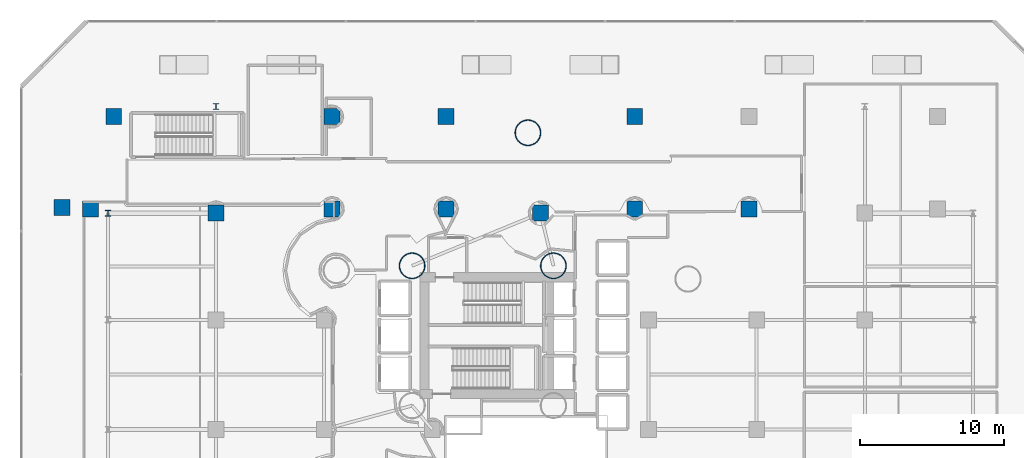
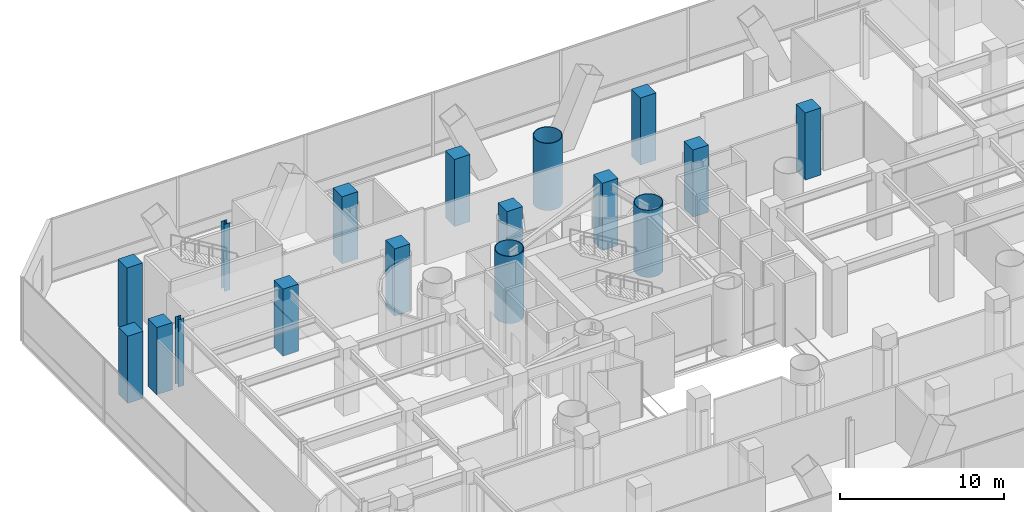
# One storey, part 3 of 42: 17 columns.
"""IFC4 building model written with IfcOpenShell, lengths in metres."""

from ifc_helpers import new_model, si_unit, direction, frame, origin, origin_2d, place, context, subcontext, project, spatial, rectangle, hollow_circle, i_section, extrude, material, material_profile, profile_set, type_object, element, save


model = new_model("IFC4")

# Units and contexts
model_context = context("Model", 3, precision=1e-05, world=origin(), true_north=direction((0.0, 1.0)))
body_context = subcontext(model_context, "Body", "Model", "MODEL_VIEW")
ifc_project = project(units=[si_unit("LENGTHUNIT", "METRE"), si_unit("AREAUNIT", "SQUARE_METRE"), si_unit("VOLUMEUNIT", "CUBIC_METRE"), si_unit("PLANEANGLEUNIT", "RADIAN"), si_unit("MASSUNIT", "GRAM", prefix="KILO")], contexts=[model_context])

# Site, building, storey
site_placement = place(None, origin())
site = spatial("IfcSite", under=ifc_project, at=site_placement, CompositionType="ELEMENT")
building_placement = place(site_placement, origin())
building = spatial("IfcBuilding", under=site, at=building_placement, Name="Qianvela Tower", CompositionType="ELEMENT")
storey_placement = place(building_placement, frame((0.0, 0.0, 6.0)))
storey = spatial("IfcBuildingStorey", under=building, at=storey_placement, Name="L01", CompositionType="ELEMENT", Elevation=6.0)

# Columns
ifc_material_1 = material(Name="Steel Q420GJC", Category="steel")
ifc_material_profile_1 = material_profile(ifc_material_1, hollow_circle(Radius=0.89990234375, WallThickness=0.044921875, at=origin_2d()), Name="CFT-1800x45")
ifc_profile_set_1 = profile_set([ifc_material_profile_1], Name="Steel Q420GJC")
column_type_1 = type_object("IfcColumnType", Name="COL-CFT-1800x45", PredefinedType="COLUMN", material=ifc_profile_set_1)
for number, where, z_axis, x_axis, name in (
    (1, (28.60009765625, 33.550048828125, 0.0), (0.0, 0.0, 1.0), (1.0, 0.0, 0.0), "L01 Core Corner Mega-Column CC-NW"),
    (2, (38.39990234375, 33.550048828125, 0.0), (0.0, 0.0, 1.0), (1.0, 0.0, 0.0), "L01 Core Corner Mega-Column CC-NE"),
    (3, (36.632080078125, 42.778076171875, 0.0), (0.0, 0.0, 1.0), (1.0, 0.0, 0.0), "L01 Tower Base CFT Mega-Column C3"),
):
    element("IfcColumn", number, at=place(storey_placement, frame(where, z_axis=z_axis, x_axis=x_axis)), inside=storey, type_object=column_type_1, Name=name, PredefinedType="COLUMN", context=body_context, shape_type="SweptSolid", body=[
        extrude(hollow_circle(Radius=0.89990234375, WallThickness=0.044921875, at=origin_2d()), origin(), (0.0, 0.0, 1.0), 5.0),
    ])
ifc_material_2 = material(Name="Steel Q355B", Category="steel")
ifc_material_profile_2 = material_profile(ifc_material_2, i_section(OverallWidth=0.39990234375, OverallDepth=0.39990234375, WebThickness=0.012939453125, FlangeThickness=0.02099609375, at=origin_2d()), Name="HW400x400x13x21")
ifc_profile_set_2 = profile_set([ifc_material_profile_2], Name="Steel Q355B")
column_type_2 = type_object("IfcColumnType", Name="COL-HW-400", PredefinedType="COLUMN", material=ifc_profile_set_2)
for number, where, z_axis, x_axis, name in (
    (4, (7.5, 37.199951171875, 0.0), (0.0, 0.0, 1.0), (1.0, 0.0, 0.0), "L01 Podium Grid Column P04"),
    (5, (15.0, 44.60009765625, 0.0), (0.0, 0.0, 1.0), (1.0, 0.0, 0.0), "L01 Podium Grid Column P10"),
):
    element("IfcColumn", number, at=place(storey_placement, frame(where, z_axis=z_axis, x_axis=x_axis)), inside=storey, type_object=column_type_2, Name=name, PredefinedType="COLUMN", context=body_context, shape_type="SweptSolid", body=[
        extrude(i_section(OverallWidth=0.39990234375, OverallDepth=0.39990234375, WebThickness=0.012939453125, FlangeThickness=0.02099609375, at=origin_2d()), origin(), (0.0, 0.0, 1.0), 5.0),
    ])
ifc_material_3 = material(Name="Concrete C60", Category="concrete")
ifc_material_profile_3 = material_profile(ifc_material_3, rectangle(XDim=1.10009765625, YDim=1.10009765625, at=origin_2d()), Name="RC-COL-1100x1100")
ifc_profile_set_3 = profile_set([ifc_material_profile_3], Name="Concrete C60")
column_type_3 = type_object("IfcColumnType", Name="COL-RC-1100", PredefinedType="COLUMN", material=ifc_profile_set_3)
for number, where, z_axis, x_axis, name in (
    (6, (7.89990234375, 43.89990234375, 0.0), (0.0, 0.0, 1.0), (1.0, 0.0, 0.0), "L01 Concourse Colonnade Column VC-N1-L-B1"),
    (7, (6.300048828125, 37.5, 0.0), (0.0, 0.0, 1.0), (1.0, 0.0, 0.0), "L01 Concourse Colonnade Column VC-N1-L-B2"),
    (8, (23.044677734375, 43.89990234375, 0.0), (0.0, 0.0, 1.0), (1.0, 0.0, 0.0), "L01 Concourse Colonnade Column VC-N1-R-B1"),
    (9, (23.044677734375, 37.5, 0.0), (0.0, 0.0, 1.0), (1.0, 0.0, 0.0), "L01 Concourse Colonnade Column VC-N1-R-B2"),
    (10, (30.955322265625, 43.89990234375, 0.0), (0.0, 0.0, 1.0), (1.0, 0.0, 0.0), "L01 Concourse Colonnade Column VC-N2-L-B1"),
    (11, (30.955322265625, 37.5, 0.0), (0.0, 0.0, 1.0), (1.0, 0.0, 0.0), "L01 Concourse Colonnade Column VC-N2-L-B2"),
    (12, (44.044677734375, 43.89990234375, 0.0), (0.0, 0.0, 1.0), (1.0, 0.0, 0.0), "L01 Concourse Colonnade Column VC-N2-R-B1"),
    (13, (44.044677734375, 37.5, 0.0), (0.0, 0.0, 1.0), (1.0, 0.0, 0.0), "L01 Concourse Colonnade Column VC-N2-R-B2"),
    (14, (51.955322265625, 37.5, 0.0), (0.0, 0.0, 1.0), (1.0, 0.0, 0.0), "L01 Concourse Colonnade Column VC-N3-L-B2"),
    (15, (15.0, 37.199951171875, 0.0), (0.0, 0.0, 1.0), (1.0, 0.0, 0.0), "L01 Podium Grid Column P09"),
    (16, (37.5, 37.199951171875, 0.0), (0.0, 0.0, 1.0), (1.0, 0.0, 0.0), "L01 Podium Grid Column P24"),
    (17, (4.302978515625, 37.60009765625, 0.0), (0.0, 0.0, 1.0), (1.0, 0.0, 0.0), "L01 Concourse Back-Anchor Column VC-N1-L"),
):
    element("IfcColumn", number, at=place(storey_placement, frame(where, z_axis=z_axis, x_axis=x_axis)), inside=storey, type_object=column_type_3, Name=name, PredefinedType="COLUMN", context=body_context, shape_type="SweptSolid", body=[
        extrude(rectangle(XDim=1.10009765625, YDim=1.10009765625, at=origin_2d()), origin(), (0.0, 0.0, 1.0), 5.0),
    ])

save(model, "model.ifc")
